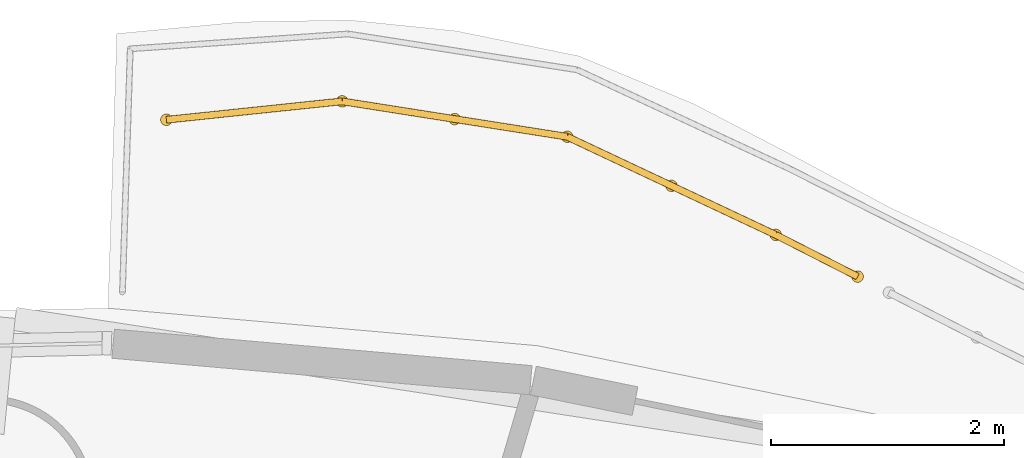
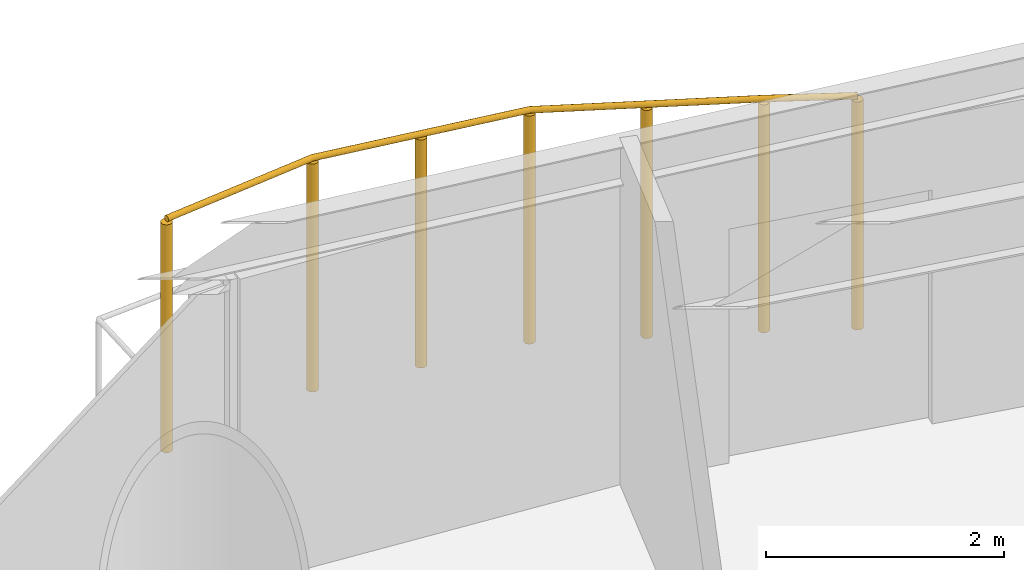
# One storey, part 17 of 17: 1 railing.
"""IFC4 building model written with IfcOpenShell, lengths in metres."""

from ifc_helpers import new_model, si_unit, direction, frame, origin, origin_2d, place, context, subcontext, project, spatial, circle, extrude, material, type_object, element, save


model = new_model("IFC4")

# Units and contexts
model_context = context("Model", 3, precision=1e-05, world=origin(), true_north=direction((0.0, 1.0)))
body_context = subcontext(model_context, "Body", "Model", "MODEL_VIEW")
ifc_project = project(units=[si_unit("LENGTHUNIT", "METRE"), si_unit("AREAUNIT", "SQUARE_METRE"), si_unit("VOLUMEUNIT", "CUBIC_METRE"), si_unit("PLANEANGLEUNIT", "RADIAN"), si_unit("MASSUNIT", "GRAM", prefix="KILO")], contexts=[model_context])

# Site, building, storey
site_placement = place(None, origin())
site = spatial("IfcSite", under=ifc_project, at=site_placement, CompositionType="ELEMENT")
building_placement = place(site_placement, origin())
building = spatial("IfcBuilding", under=site, at=building_placement, Name="Vermilion Reach Broadcast Tower", CompositionType="ELEMENT")
storey_placement = place(building_placement, frame((0.0, 0.0, 76.699951171875)))
storey = spatial("IfcBuildingStorey", under=building, at=storey_placement, Name="L16", CompositionType="ELEMENT", Elevation=76.699951171875)

# Railing
ifc_material = material(Name="Terracotta baguette", Category="masonry")
railing_type = type_object("IfcRailingType", Name="BAGUETTE SCREEN", PredefinedType="USERDEFINED", material=ifc_material)
railing_placement = place(storey_placement, frame((3.57080078125, 23.989013671875, 0.0)))
element("IfcRailing", 1, at=railing_placement, inside=storey, type_object=railing_type, Name="Baguette screen L16 group 1 part 3", ObjectType="BAGUETTE SCREEN", PredefinedType="USERDEFINED", context=body_context, shape_type="SweptSolid", body=[
    extrude(circle(Radius=0.030029296875, at=origin_2d()), frame((0.0, 0.0, 2.369873046875), z_axis=(-0.890992190841, 0.45401862942, 0.0), x_axis=(-0.45401862942, -0.890992190841, 0.0)), (0.0, 0.0, 1.0), 0.787841796875),
    extrude(circle(Radius=0.030029296875, at=origin_2d()), frame((-0.701904296875, 0.357666015625, 2.369873046875), z_axis=(-0.904799102999, 0.425838682146, 0.0), x_axis=(-0.425838682146, -0.904799102999, 0.0)), (0.0, 0.0, 1.0), 1.976318359375),
    extrude(circle(Radius=0.030029296875, at=origin_2d()), frame((-2.489990234375, 1.19921875, 2.369873046875), z_axis=(-0.987842879946, 0.155455603119, 0.0), x_axis=(-0.155455603119, -0.987842879946, 0.0)), (0.0, 0.0, 1.0), 1.95361328125),
    extrude(circle(Radius=0.030029296875, at=origin_2d()), frame((-4.419921875, 1.5029296875, 2.369873046875), z_axis=(-0.994552142643, -0.104240278032, 0.0), x_axis=(0.104240278032, -0.994552142643, 0.0)), (0.0, 0.0, 1.0), 1.515380859375),
    extrude(circle(Radius=0.050048828125, at=origin_2d()), origin(), (0.0, 0.0, 1.0), 2.33984375),
    extrude(circle(Radius=0.050048828125, at=origin_2d()), frame((-0.701904296875, 0.357666015625, 0.0)), (0.0, 0.0, 1.0), 2.33984375),
    extrude(circle(Radius=0.050048828125, at=origin_2d()), frame((-1.595947265625, 0.7783203125, 0.0)), (0.0, 0.0, 1.0), 2.33984375),
    extrude(circle(Radius=0.050048828125, at=origin_2d()), frame((-2.489990234375, 1.19921875, 0.0)), (0.0, 0.0, 1.0), 2.33984375),
    extrude(circle(Radius=0.050048828125, at=origin_2d()), frame((-3.455078125, 1.35107421875, 0.0)), (0.0, 0.0, 1.0), 2.33984375),
    extrude(circle(Radius=0.050048828125, at=origin_2d()), frame((-4.419921875, 1.5029296875, 0.0)), (0.0, 0.0, 1.0), 2.33984375),
    extrude(circle(Radius=0.050048828125, at=origin_2d()), frame((-5.927001953125, 1.344970703125, 0.0)), (0.0, 0.0, 1.0), 2.33984375),
])

save(model, "model.ifc")
